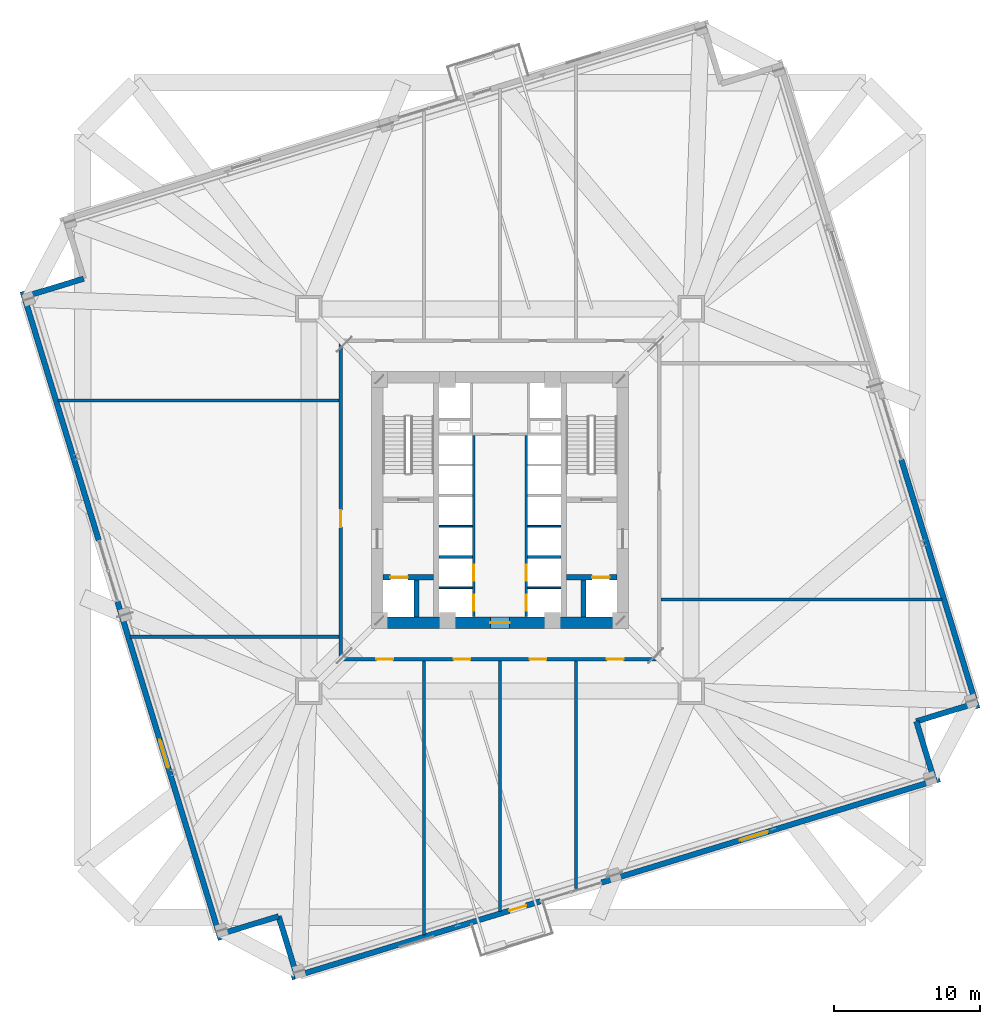
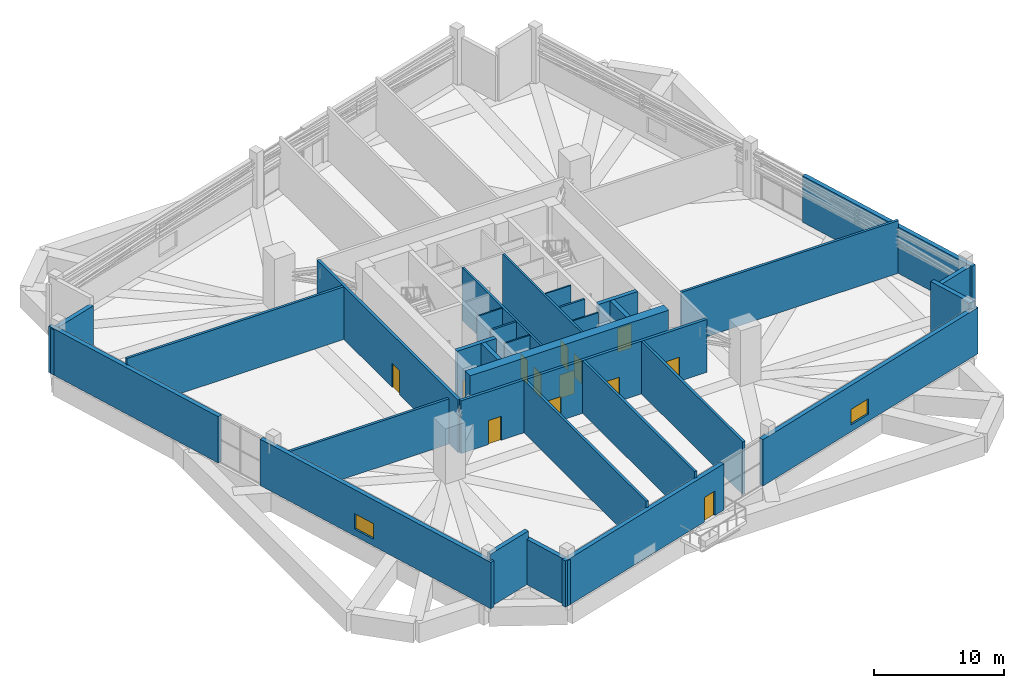
# One storey, part 17 of 22: 31 walls, 13 doors, 2 windows, 15 openings.
"""IFC4 building model written with IfcOpenShell, lengths in metres."""

from ifc_helpers import new_model, si_unit, direction, frame, frame_2d, origin, place, context, subcontext, project, spatial, rectangle, extrude, source, transform, mapped, material, layer, layer_set, type_object, element, fill, save


model = new_model("IFC4")

# Units and contexts
model_context = context("Model", 3, precision=1e-05, world=origin(), true_north=direction((0.0, 1.0)))
body_context = subcontext(model_context, "Body", "Model", "MODEL_VIEW")
ifc_project = project(units=[si_unit("LENGTHUNIT", "METRE"), si_unit("AREAUNIT", "SQUARE_METRE"), si_unit("VOLUMEUNIT", "CUBIC_METRE"), si_unit("PLANEANGLEUNIT", "RADIAN"), si_unit("MASSUNIT", "GRAM", prefix="KILO"), si_unit("THERMODYNAMICTEMPERATUREUNIT", "KELVIN")], contexts=[model_context])

# Site, building, storey
site_placement = place(None, origin())
site = spatial("IfcSite", under=ifc_project, at=site_placement, CompositionType="ELEMENT")
building_placement = place(site_placement, origin())
building = spatial("IfcBuilding", under=site, at=building_placement, Name="Kosmvard Interchange Tower", CompositionType="ELEMENT")
storey_placement = place(building_placement, frame((0.0, 0.0, 78.0)))
storey = spatial("IfcBuildingStorey", under=building, at=storey_placement, Name="L18", CompositionType="ELEMENT", Elevation=78.0)

# Wall, openings, doors
ifc_material_1 = material(Name="Fire-rated gypsum partition system")
ifc_layer_1 = layer(ifc_material_1, 0.179931640625, Name="Fire-rated gypsum partition system")
ifc_layer_set_1 = layer_set([ifc_layer_1], Name="Fire-rated gypsum partition system")
wall_type_1 = type_object("IfcWallType", Name="Corridor & Hotel Compartment Partition 180", PredefinedType="PARTITIONING", material=ifc_layer_set_1)
wall_1_placement = place(storey_placement, frame((-1.7900390625, -7.97998046875, 0.0), z_axis=(0.0, 0.0, 1.0), x_axis=(0.0, 1.0, 0.0)))
wall_1 = element("IfcWall", 1, at=wall_1_placement, inside=storey, type_object=wall_type_1, Name="L18 West Lift Bank Front Wall", PredefinedType="PARTITIONING", context=body_context, shape_type="SweptSolid", body=[
    extrude(rectangle(XDim=12.3798828125, YDim=0.179931640625, at=frame_2d((6.18994140625, 0.0))), origin(), (0.0, 0.0, 1.0), 4.93994140625),
])
opening_1_placement = place(wall_1_placement, frame((0.39990234375, 0.0, 0.0)))
opening_1 = element("IfcOpeningElement", 2, at=opening_1_placement, cuts=wall_1, Name="Opening LD-PL-L1-L18", PredefinedType="OPENING", context=body_context, shape_type="SweptSolid", body=[
    extrude(rectangle(XDim=1.10009765625, YDim=2.199951171875, at=frame_2d((0.550048828125, 1.10009765625))), frame((0.0, 0.10009765625, 0.0), z_axis=(0.0, -1.0, 0.0), x_axis=(1.0, 0.0, 0.0)), (0.0, 0.0, 1.0), 0.199951171875),
])
opening_2_placement = place(wall_1_placement, frame((2.4599609375, 0.0, 0.0)))
opening_2 = element("IfcOpeningElement", 3, at=opening_2_placement, cuts=wall_1, Name="Opening LD-PL-L2-L18", PredefinedType="OPENING", context=body_context, shape_type="SweptSolid", body=[
    extrude(rectangle(XDim=1.10009765625, YDim=2.199951171875, at=frame_2d((0.550048828125, 1.10009765625))), frame((0.0, 0.10009765625, 0.0), z_axis=(0.0, -1.0, 0.0), x_axis=(1.0, 0.0, 0.0)), (0.0, 0.0, 1.0), 0.199951171875),
])
ifc_material_2 = material(Name="Brushed stainless steel sliding leaf", Category="steel")
door_type_1 = type_object("IfcDoorType", Name="Passenger Lift Sliding Landing Door 1100x2200 EI60", OperationType="DOUBLE_DOOR_SLIDING", PredefinedType="DOOR", material=ifc_material_2)
shared_shape_1 = source(origin(), body_context, "Body", "SweptSolid", [
    extrude(rectangle(XDim=1.10009765625, YDim=2.199951171875, at=frame_2d((0.550048828125, 1.10009765625))), frame((0.0, 0.02490234375, 0.0), z_axis=(0.0, -1.0, 0.0), x_axis=(1.0, 0.0, 0.0)), (0.0, 0.0, 1.0), 0.050048828125),
])
door_1_placement = place(opening_1_placement, frame((1.10009765625, 0.0, 0.0), z_axis=(0.0, 0.0, 1.0), x_axis=(-1.0, 0.0, 0.0)))
door_1 = element("IfcDoor", 4, at=door_1_placement, inside=storey, type_object=door_type_1, Name="Lift PL-L1 Landing Door L18", OperationType="DOUBLE_DOOR_SLIDING", OverallHeight=2.199951171875, OverallWidth=1.10009765625, PredefinedType="DOOR", context=body_context, shape_type="MappedRepresentation", body=[
    mapped(shared_shape_1, transform((0.0, 0.0, 0.0), scale=1.0)),
])
fill(opening_1, door_1)
door_2_placement = place(opening_2_placement, frame((1.10009765625, 0.0, 0.0), z_axis=(0.0, 0.0, 1.0), x_axis=(-1.0, 0.0, 0.0)))
door_2 = element("IfcDoor", 5, at=door_2_placement, inside=storey, type_object=door_type_1, Name="Lift PL-L2 Landing Door L18", OperationType="DOUBLE_DOOR_SLIDING", OverallHeight=2.199951171875, OverallWidth=1.10009765625, PredefinedType="DOOR", context=body_context, shape_type="MappedRepresentation", body=[
    mapped(shared_shape_1, transform((0.0, 0.0, 0.0), scale=1.0)),
])
fill(opening_2, door_2)

wall_2_placement = place(storey_placement, frame((1.7900390625, -7.97998046875, 0.0), z_axis=(0.0, 0.0, 1.0), x_axis=(0.0, 1.0, 0.0)))
wall_2 = element("IfcWall", 6, at=wall_2_placement, inside=storey, type_object=wall_type_1, Name="L18 East Lift Bank Front Wall", PredefinedType="PARTITIONING", context=body_context, shape_type="SweptSolid", body=[
    extrude(rectangle(XDim=12.3798828125, YDim=0.179931640625, at=frame_2d((6.18994140625, 0.0))), origin(), (0.0, 0.0, 1.0), 4.93994140625),
])
opening_3_placement = place(wall_2_placement, frame((0.39990234375, 0.0, 0.0)))
opening_3 = element("IfcOpeningElement", 7, at=opening_3_placement, cuts=wall_2, Name="Opening LD-PL-L3-L18", PredefinedType="OPENING", context=body_context, shape_type="SweptSolid", body=[
    extrude(rectangle(XDim=1.10009765625, YDim=2.199951171875, at=frame_2d((0.550048828125, 1.10009765625))), frame((0.0, 0.10009765625, 0.0), z_axis=(0.0, -1.0, 0.0), x_axis=(1.0, 0.0, 0.0)), (0.0, 0.0, 1.0), 0.199951171875),
])
opening_4_placement = place(wall_2_placement, frame((2.4599609375, 0.0, 0.0)))
opening_4 = element("IfcOpeningElement", 8, at=opening_4_placement, cuts=wall_2, Name="Opening LD-PL-L4-L18", PredefinedType="OPENING", context=body_context, shape_type="SweptSolid", body=[
    extrude(rectangle(XDim=1.10009765625, YDim=2.199951171875, at=frame_2d((0.550048828125, 1.10009765625))), frame((0.0, 0.10009765625, 0.0), z_axis=(0.0, -1.0, 0.0), x_axis=(1.0, 0.0, 0.0)), (0.0, 0.0, 1.0), 0.199951171875),
])
door_3_placement = place(opening_3_placement, origin())
door_3 = element("IfcDoor", 9, at=door_3_placement, inside=storey, type_object=door_type_1, Name="Lift PL-L3 Landing Door L18", OperationType="DOUBLE_DOOR_SLIDING", OverallHeight=2.199951171875, OverallWidth=1.10009765625, PredefinedType="DOOR", context=body_context, shape_type="MappedRepresentation", body=[
    mapped(shared_shape_1, transform((0.0, 0.0, 0.0), scale=1.0)),
])
fill(opening_3, door_3)
door_4_placement = place(opening_4_placement, origin())
door_4 = element("IfcDoor", 10, at=door_4_placement, inside=storey, type_object=door_type_1, Name="Lift PL-L4 Landing Door L18", OperationType="DOUBLE_DOOR_SLIDING", OverallHeight=2.199951171875, OverallWidth=1.10009765625, PredefinedType="DOOR", context=body_context, shape_type="MappedRepresentation", body=[
    mapped(shared_shape_1, transform((0.0, 0.0, 0.0), scale=1.0)),
])
fill(opening_4, door_4)

ifc_material_3 = material(Name="Concrete blockwork masonry", Category="masonry")
ifc_layer_2 = layer(ifc_material_3, 0.25, Name="Concrete blockwork masonry")
ifc_layer_set_2 = layer_set([ifc_layer_2], Name="Concrete blockwork masonry")
wall_type_2 = type_object("IfcWallType", Name="Exit Passage & Firefighting Lobby Wall 250", PredefinedType="PARTITIONING", material=ifc_layer_set_2)
wall_3_placement = place(storey_placement, frame((-10.89990234375, -10.89990234375, 0.0), z_axis=(0.0, 0.0, 1.0), x_axis=(1.0, 0.0, 0.0)))
wall_3 = element("IfcWall", 11, at=wall_3_placement, inside=storey, type_object=wall_type_2, Name="L18 Corridor Wall CS", PredefinedType="PARTITIONING", context=body_context, shape_type="SweptSolid", body=[
    extrude(rectangle(XDim=21.7998046875, YDim=0.25, at=frame_2d((10.89990234375, 0.0))), origin(), (0.0, 0.0, 1.0), 4.93994140625),
])
opening_5_placement = place(wall_3_placement, frame((18.21044921875, 0.0, 0.0)))
opening_5 = element("IfcOpeningElement", 12, at=opening_5_placement, cuts=wall_3, Name="Opening L18-D06", PredefinedType="OPENING", context=body_context, shape_type="SweptSolid", body=[
    extrude(rectangle(XDim=1.14990234375, YDim=2.25, at=frame_2d((0.574951171875, 1.125))), frame((0.0, 0.135009765625, 0.0), z_axis=(0.0, -1.0, 0.0), x_axis=(1.0, 0.0, 0.0)), (0.0, 0.0, 1.0), 0.27001953125),
])
opening_6_placement = place(wall_3_placement, frame((12.925048828125, 0.0, 0.0)))
opening_6 = element("IfcOpeningElement", 13, at=opening_6_placement, cuts=wall_3, Name="Opening L18-D07", PredefinedType="OPENING", context=body_context, shape_type="SweptSolid", body=[
    extrude(rectangle(XDim=1.14990234375, YDim=2.25, at=frame_2d((0.574951171875, 1.125))), frame((0.0, 0.135009765625, 0.0), z_axis=(0.0, -1.0, 0.0), x_axis=(1.0, 0.0, 0.0)), (0.0, 0.0, 1.0), 0.27001953125),
])
opening_7_placement = place(wall_3_placement, frame((7.72509765625, 0.0, 0.0)))
opening_7 = element("IfcOpeningElement", 14, at=opening_7_placement, cuts=wall_3, Name="Opening L18-D08", PredefinedType="OPENING", context=body_context, shape_type="SweptSolid", body=[
    extrude(rectangle(XDim=1.14990234375, YDim=2.25, at=frame_2d((0.574951171875, 1.125))), frame((0.0, 0.135009765625, 0.0), z_axis=(0.0, -1.0, 0.0), x_axis=(1.0, 0.0, 0.0)), (0.0, 0.0, 1.0), 0.27001953125),
])
opening_8_placement = place(wall_3_placement, frame((2.439453125, 0.0, 0.0)))
opening_8 = element("IfcOpeningElement", 15, at=opening_8_placement, cuts=wall_3, Name="Opening L18-D09", PredefinedType="OPENING", context=body_context, shape_type="SweptSolid", body=[
    extrude(rectangle(XDim=1.14990234375, YDim=2.25, at=frame_2d((0.574951171875, 1.125))), frame((0.0, 0.135009765625, 0.0), z_axis=(0.0, -1.0, 0.0), x_axis=(1.0, 0.0, 0.0)), (0.0, 0.0, 1.0), 0.27001953125),
])
ifc_material_4 = material(Name="Painted fire-rated steel leaf", Category="steel")
door_type_2 = type_object("IfcDoorType", Name="Plant & Riser Fire Door 1150x2250 EI60", OperationType="NOTDEFINED", PredefinedType="DOOR", material=ifc_material_4)
shared_shape_2 = source(origin(), body_context, "Body", "SweptSolid", [
    extrude(rectangle(XDim=1.14990234375, YDim=2.25, at=frame_2d((0.574951171875, 1.125))), frame((0.0, 0.02490234375, 0.0), z_axis=(0.0, -1.0, 0.0), x_axis=(1.0, 0.0, 0.0)), (0.0, 0.0, 1.0), 0.050048828125),
])
door_5_placement = place(opening_5_placement, frame((1.14990234375, 0.0, 0.0), z_axis=(0.0, 0.0, 1.0), x_axis=(-1.0, 0.0, 0.0)))
door_5 = element("IfcDoor", 16, at=door_5_placement, inside=storey, type_object=door_type_2, Name="L18 Electrical Switchgear Plant Room Door", OperationType="SINGLE_SWING_RIGHT", OverallHeight=2.25, OverallWidth=1.14990234375, PredefinedType="DOOR", context=body_context, shape_type="MappedRepresentation", body=[
    mapped(shared_shape_2, transform((0.0, 0.0, 0.0), scale=1.0)),
])
fill(opening_5, door_5)
door_6_placement = place(opening_6_placement, frame((1.14990234375, 0.0, 0.0), z_axis=(0.0, 0.0, 1.0), x_axis=(-1.0, 0.0, 0.0)))
door_6 = element("IfcDoor", 17, at=door_6_placement, inside=storey, type_object=door_type_2, Name="L18 Zone Power Transformer Plant Room Door", OperationType="SINGLE_SWING_LEFT", OverallHeight=2.25, OverallWidth=1.14990234375, PredefinedType="DOOR", context=body_context, shape_type="MappedRepresentation", body=[
    mapped(shared_shape_2, transform((0.0, 0.0, 0.0), scale=1.0)),
])
fill(opening_6, door_6)
door_7_placement = place(opening_7_placement, frame((1.14990234375, 0.0, 0.0), z_axis=(0.0, 0.0, 1.0), x_axis=(-1.0, 0.0, 0.0)))
door_7 = element("IfcDoor", 18, at=door_7_placement, inside=storey, type_object=door_type_2, Name="L18 Smoke Pressurisation Fan Plant Room Door", OperationType="SINGLE_SWING_RIGHT", OverallHeight=2.25, OverallWidth=1.14990234375, PredefinedType="DOOR", context=body_context, shape_type="MappedRepresentation", body=[
    mapped(shared_shape_2, transform((0.0, 0.0, 0.0), scale=1.0)),
])
fill(opening_7, door_7)
door_8_placement = place(opening_8_placement, frame((1.14990234375, 0.0, 0.0), z_axis=(0.0, 0.0, 1.0), x_axis=(-1.0, 0.0, 0.0)))
door_8 = element("IfcDoor", 19, at=door_8_placement, inside=storey, type_object=door_type_2, Name="L18 Air Handling Fan Plant Room Door", OperationType="SINGLE_SWING_LEFT", OverallHeight=2.25, OverallWidth=1.14990234375, PredefinedType="DOOR", context=body_context, shape_type="MappedRepresentation", body=[
    mapped(shared_shape_2, transform((0.0, 0.0, 0.0), scale=1.0)),
])
fill(opening_8, door_8)

# Wall, opening, door
wall_4_placement = place(storey_placement, frame((-10.89990234375, -10.800048828125, 0.0), z_axis=(0.0, 0.0, 1.0), x_axis=(0.0, 1.0, 0.0)))
wall_4 = element("IfcWall", 20, at=wall_4_placement, inside=storey, type_object=wall_type_2, Name="L18 Corridor Wall CW", PredefinedType="PARTITIONING", context=body_context, shape_type="SweptSolid", body=[
    extrude(rectangle(XDim=21.60009765625, YDim=0.25, at=frame_2d((10.800048828125, 0.0))), origin(), (0.0, 0.0, 1.0), 4.93994140625),
])
opening_9_placement = place(wall_4_placement, frame((8.949951171875, 0.0, 0.0)))
opening_9 = element("IfcOpeningElement", 21, at=opening_9_placement, cuts=wall_4, Name="Opening L18-D10", PredefinedType="OPENING", context=body_context, shape_type="SweptSolid", body=[
    extrude(rectangle(XDim=1.14990234375, YDim=2.25, at=frame_2d((0.574951171875, 1.125))), frame((0.0, 0.135009765625, 0.0), z_axis=(0.0, -1.0, 0.0), x_axis=(1.0, 0.0, 0.0)), (0.0, 0.0, 1.0), 0.27001953125),
])
door_9_placement = place(opening_9_placement, origin())
door_9 = element("IfcDoor", 22, at=door_9_placement, inside=storey, type_object=door_type_2, Name="L18 Refuge Area West Door", OperationType="SINGLE_SWING_RIGHT", OverallHeight=2.25, OverallWidth=1.14990234375, PredefinedType="DOOR", context=body_context, shape_type="MappedRepresentation", body=[
    mapped(shared_shape_2, transform((0.0, 0.0, 0.0), scale=1.0)),
])
fill(opening_9, door_9)

ifc_material_5 = material(Name="Concrete C80/95", Category="concrete")
ifc_layer_3 = layer(ifc_material_5, 0.800048828125, Name="Concrete C80/95")
ifc_layer_set_3 = layer_set([ifc_layer_3], Name="Concrete C80/95")
wall_type_3 = type_object("IfcWallType", Name="Lower Core Shear Wall 800 C80/95", PredefinedType="SHEAR", material=ifc_layer_set_3)
wall_5_placement = place(storey_placement, frame((-8.800048828125, -8.39990234375, 0.0), z_axis=(0.0, 0.0, 1.0), x_axis=(1.0, 0.0, 0.0)))
wall_5 = element("IfcWall", 23, at=wall_5_placement, inside=storey, type_object=wall_type_3, Name="L18 Core Shear Wall CW-S", PredefinedType="SHEAR", context=body_context, shape_type="SweptSolid", body=[
    extrude(rectangle(XDim=17.60009765625, YDim=0.800048828125, at=frame_2d((8.800048828125, 0.0))), origin(), (0.0, 0.0, 1.0), 5.199951171875),
])
opening_10_placement = place(wall_5_placement, frame((8.14990234375, 0.0, 0.0)))
opening_10 = element("IfcOpeningElement", 24, at=opening_10_placement, cuts=wall_5, Name="Opening L18-LD0", PredefinedType="OPENING", context=body_context, shape_type="SweptSolid", body=[
    extrude(rectangle(XDim=1.300048828125, YDim=2.199951171875, at=frame_2d((0.64990234375, 1.10009765625))), frame((0.0, 0.41015625, 0.0), z_axis=(0.0, -1.0, 0.0), x_axis=(1.0, 0.0, 0.0)), (0.0, 0.0, 1.0), 0.820068359375),
])
door_type_3 = type_object("IfcDoorType", Name="Firefighting Lobby Door 1300x2200 EI60", OperationType="NOTDEFINED", PredefinedType="DOOR", material=ifc_material_4)
shared_shape_3 = source(origin(), body_context, "Body", "SweptSolid", [
    extrude(rectangle(XDim=1.300048828125, YDim=2.199951171875, at=frame_2d((0.64990234375, 1.10009765625))), frame((0.0, 0.02490234375, 0.0), z_axis=(0.0, -1.0, 0.0), x_axis=(1.0, 0.0, 0.0)), (0.0, 0.0, 1.0), 0.050048828125),
])
door_10_placement = place(opening_10_placement, frame((1.300048828125, 0.0, 0.0), z_axis=(0.0, 0.0, 1.0), x_axis=(-1.0, 0.0, 0.0)))
door_10 = element("IfcDoor", 25, at=door_10_placement, inside=storey, type_object=door_type_3, Name="L18 Passenger Lift Lobby South Door", OperationType="SINGLE_SWING_RIGHT", OverallHeight=2.199951171875, OverallWidth=1.300048828125, PredefinedType="DOOR", context=body_context, shape_type="MappedRepresentation", body=[
    mapped(shared_shape_3, transform((0.0, 0.0, 0.0), scale=1.0)),
])
fill(opening_10, door_10)

# Walls
ifc_material_6 = material(Name="Precast concrete C45/55", Category="concrete")
ifc_layer_4 = layer(ifc_material_6, 0.3798828125, Name="Precast concrete C45/55")
ifc_layer_set_4 = layer_set([ifc_layer_4], Name="Precast concrete C45/55")
wall_type_4 = type_object("IfcWallType", Name="Lower Tower Precast Pier Wall 380 C45/55", PredefinedType="STANDARD", material=ifc_layer_set_4)
wall_6_placement = place(storey_placement, frame((29.724853515625, -19.20849609375, 0.0), z_axis=(0.0, 0.0, 1.0), x_axis=(-0.292345507338, 0.956312764915, 0.0)))
element("IfcWall", 26, at=wall_6_placement, inside=storey, type_object=wall_type_4, Name="L18 Corner Precast Pier N-SE1", PredefinedType="STANDARD", context=body_context, shape_type="SweptSolid", body=[
    extrude(rectangle(XDim=4.249755859375, YDim=0.3798828125, at=frame_2d((2.125, 0.0))), origin(), (0.0, 0.0, 1.0), 4.93994140625),
])
for number, where, z_axis, x_axis, name in (
    (27, (28.482421875, -15.144287109375, 0.0), (0.0, 0.0, 1.0), (0.956304176051, 0.292373601522, 0.0), "L18 Corner Precast Pier N-SE2"),
    (28, (-28.482421875, 15.144287109375, 0.0), (0.0, 0.0, 1.0), (-0.956304176051, -0.292373601522, 0.0), "L18 Corner Precast Pier N-NW2"),
):
    element("IfcWall", number, at=place(storey_placement, frame(where, z_axis=z_axis, x_axis=x_axis)), inside=storey, type_object=wall_type_4, Name=name, PredefinedType="STANDARD", context=body_context, shape_type="SweptSolid", body=[
        extrude(rectangle(XDim=4.43994140625, YDim=0.3798828125, at=frame_2d((2.219970703125, 0.0))), origin(), (0.0, 0.0, 1.0), 4.239990234375),
    ])
wall_7_placement = place(storey_placement, frame((-19.20849609375, -29.724853515625, 0.0), z_axis=(0.0, 0.0, 1.0), x_axis=(0.956312764915, 0.292345507338, 0.0)))
element("IfcWall", 29, at=wall_7_placement, inside=storey, type_object=wall_type_4, Name="L18 Corner Precast Pier N-SW1", PredefinedType="STANDARD", context=body_context, shape_type="SweptSolid", body=[
    extrude(rectangle(XDim=4.249755859375, YDim=0.3798828125, at=frame_2d((2.125, 0.0))), origin(), (0.0, 0.0, 1.0), 4.93994140625),
])
wall_8_placement = place(storey_placement, frame((-15.144287109375, -28.482421875, 0.0), z_axis=(0.0, 0.0, 1.0), x_axis=(0.292373601522, -0.956304176051, 0.0)))
element("IfcWall", 30, at=wall_8_placement, inside=storey, type_object=wall_type_4, Name="L18 Corner Precast Pier N-SW2", PredefinedType="STANDARD", context=body_context, shape_type="SweptSolid", body=[
    extrude(rectangle(XDim=4.43994140625, YDim=0.3798828125, at=frame_2d((2.219970703125, 0.0))), origin(), (0.0, 0.0, 1.0), 4.239990234375),
])

# Wall, opening, door
wall_9_placement = place(storey_placement, frame((-14.26513671875, -32.65771484375, 0.0), z_axis=(0.0, 0.0, 1.0), x_axis=(0.956302978664, 0.292377517944, 0.0)))
wall_9 = element("IfcWall", 31, at=wall_9_placement, inside=storey, type_object=wall_type_4, Name="L18 Facade Pier Wall SA", PredefinedType="STANDARD", context=body_context, shape_type="SweptSolid", body=[
    extrude(rectangle(XDim=17.7900390625, YDim=0.3798828125, at=frame_2d((8.89501953125, 0.0))), origin(), (0.0, 0.0, 1.0), 4.340087890625),
])
opening_11_placement = place(wall_9_placement, frame((15.590087890625, 0.0, 0.0)))
opening_11 = element("IfcOpeningElement", 32, at=opening_11_placement, cuts=wall_9, Name="Opening L18-TDS", PredefinedType="OPENING", context=body_context, shape_type="SweptSolid", body=[
    extrude(rectangle(XDim=1.199951171875, YDim=2.300048828125, at=frame_2d((0.60009765625, 1.14990234375))), frame((0.0, 0.199951171875, 0.0), z_axis=(0.0, -1.0, 0.0), x_axis=(1.0, 0.0, 0.0)), (0.0, 0.0, 1.0), 0.39990234375),
])
ifc_material_7 = material(Name="Anodised aluminium and safety glass", Category="aluminium")
door_type_4 = type_object("IfcDoorType", Name="Cascade Terrace Glazed Door 1200x2300", OperationType="NOTDEFINED", PredefinedType="DOOR", material=ifc_material_7)
shared_shape_4 = source(origin(), body_context, "Body", "SweptSolid", [
    extrude(rectangle(XDim=1.199951171875, YDim=2.300048828125, at=frame_2d((0.60009765625, 1.14990234375))), frame((0.0, 0.02490234375, 0.0), z_axis=(0.0, -1.0, 0.0), x_axis=(1.0, 0.0, 0.0)), (0.0, 0.0, 1.0), 0.050048828125),
])
door_11_placement = place(opening_11_placement, origin())
door_11 = element("IfcDoor", 33, at=door_11_placement, inside=storey, type_object=door_type_4, Name="L18 Terrace Access Door SKG-L18-S", OperationType="SINGLE_SWING_LEFT", OverallHeight=2.300048828125, OverallWidth=1.199951171875, PredefinedType="DOOR", context=body_context, shape_type="MappedRepresentation", body=[
    mapped(shared_shape_4, transform((0.0, 0.0, 0.0), scale=1.0)),
])
fill(opening_11, door_11)

# Wall, opening, window
wall_10_placement = place(storey_placement, frame((6.955322265625, -26.169921875, 0.0), z_axis=(0.0, 0.0, 1.0), x_axis=(0.95630447169, 0.292372634538, 0.0)))
wall_10 = element("IfcWall", 34, at=wall_10_placement, inside=storey, type_object=wall_type_4, Name="L18 Facade Pier Wall SB", PredefinedType="STANDARD", context=body_context, shape_type="SweptSolid", body=[
    extrude(rectangle(XDim=24.18994140625, YDim=0.3798828125, at=frame_2d((12.094970703125, 0.0))), origin(), (0.0, 0.0, 1.0), 4.340087890625),
])
opening_12_placement = place(wall_10_placement, frame((9.885498046875, 0.0, 0.64990234375)))
opening_12 = element("IfcOpeningElement", 35, at=opening_12_placement, cuts=wall_10, Name="Opening L18-WSB", PredefinedType="OPENING", context=body_context, shape_type="SweptSolid", body=[
    extrude(rectangle(XDim=2.0, YDim=1.449951171875, at=frame_2d((1.0, 0.72509765625))), frame((0.0, 0.199951171875, 0.0), z_axis=(0.0, -1.0, 0.0), x_axis=(1.0, 0.0, 0.0)), (0.0, 0.0, 1.0), 0.39990234375),
])
ifc_material_8 = material(Name="Low-E solar-control double glazing", Category="glass")
window_type = type_object("IfcWindowType", Name="Transfer Zone Punched Window 2000x1450", PartitioningType="SINGLE_PANEL", PredefinedType="WINDOW", material=ifc_material_8)
shared_shape_5 = source(origin(), body_context, "Body", "SweptSolid", [
    extrude(rectangle(XDim=2.0, YDim=1.449951171875, at=frame_2d((1.0, 0.72509765625))), frame((0.0, 0.030029296875, 0.0), z_axis=(0.0, -1.0, 0.0), x_axis=(1.0, 0.0, 0.0)), (0.0, 0.0, 1.0), 0.06005859375),
])
window_1_placement = place(opening_12_placement, origin())
window_1 = element("IfcWindow", 36, at=window_1_placement, inside=storey, type_object=window_type, Name="L18 Facade Punched Window SB", OverallHeight=1.449951171875, OverallWidth=2.0, PartitioningType="SINGLE_PANEL", PredefinedType="WINDOW", context=body_context, shape_type="MappedRepresentation", body=[
    mapped(shared_shape_5, transform((0.0, 0.0, 0.0), scale=1.0)),
])
fill(opening_12, window_1)

# Walls
for number, where, z_axis, x_axis, name in (
    (37, (32.65771484375, -14.26513671875, 0.0), (0.0, 0.0, 1.0), (-0.292377517944, 0.956302978664, 0.0), "L18 Facade Pier Wall EA"),
    (38, (-32.65771484375, 14.26513671875, 0.0), (0.0, 0.0, 1.0), (0.292377517944, -0.956302978664, 0.0), "L18 Facade Pier Wall WA"),
):
    element("IfcWall", number, at=place(storey_placement, frame(where, z_axis=z_axis, x_axis=x_axis)), inside=storey, type_object=wall_type_4, Name=name, PredefinedType="STANDARD", context=body_context, shape_type="SweptSolid", body=[
        extrude(rectangle(XDim=17.7900390625, YDim=0.3798828125, at=frame_2d((8.89501953125, 0.0))), origin(), (0.0, 0.0, 1.0), 4.340087890625),
    ])

# Wall, opening, window
wall_11_placement = place(storey_placement, frame((-26.169921875, -6.955322265625, 0.0), z_axis=(0.0, 0.0, 1.0), x_axis=(0.292372634538, -0.95630447169, 0.0)))
wall_11 = element("IfcWall", 39, at=wall_11_placement, inside=storey, type_object=wall_type_4, Name="L18 Facade Pier Wall WB", PredefinedType="STANDARD", context=body_context, shape_type="SweptSolid", body=[
    extrude(rectangle(XDim=24.18994140625, YDim=0.3798828125, at=frame_2d((12.094970703125, 0.0))), origin(), (0.0, 0.0, 1.0), 4.340087890625),
])
opening_13_placement = place(wall_11_placement, frame((9.885498046875, 0.0, 0.64990234375)))
opening_13 = element("IfcOpeningElement", 40, at=opening_13_placement, cuts=wall_11, Name="Opening L18-WWB", PredefinedType="OPENING", context=body_context, shape_type="SweptSolid", body=[
    extrude(rectangle(XDim=2.0, YDim=1.449951171875, at=frame_2d((1.0, 0.72509765625))), frame((0.0, 0.199951171875, 0.0), z_axis=(0.0, -1.0, 0.0), x_axis=(1.0, 0.0, 0.0)), (0.0, 0.0, 1.0), 0.39990234375),
])
window_2_placement = place(opening_13_placement, origin())
window_2 = element("IfcWindow", 41, at=window_2_placement, inside=storey, type_object=window_type, Name="L18 Facade Punched Window WB", OverallHeight=1.449951171875, OverallWidth=2.0, PartitioningType="SINGLE_PANEL", PredefinedType="WINDOW", context=body_context, shape_type="MappedRepresentation", body=[
    mapped(shared_shape_5, transform((0.0, 0.0, 0.0), scale=1.0)),
])
fill(opening_13, window_2)

# Walls
ifc_layer_5 = layer(ifc_material_3, 0.179931640625, Name="Concrete blockwork masonry")
ifc_layer_set_5 = layer_set([ifc_layer_5], Name="Concrete blockwork masonry")
wall_type_5 = type_object("IfcWallType", Name="Riser & Lift Bank Divider Wall 180", PredefinedType="PARTITIONING", material=ifc_layer_set_5)
for number, where, z_axis, x_axis, name in (
    (42, (-4.169921875, -3.89990234375, 0.0), (0.0, 0.0, 1.0), (1.0, 0.0, 0.0), "L18 West Bank Divider BD1"),
    (43, (1.889892578125, -3.89990234375, 0.0), (0.0, 0.0, 1.0), (1.0, 0.0, 0.0), "L18 East Bank Divider BD1"),
):
    element("IfcWall", number, at=place(storey_placement, frame(where, z_axis=z_axis, x_axis=x_axis)), inside=storey, type_object=wall_type_5, Name=name, PredefinedType="PARTITIONING", context=body_context, shape_type="SweptSolid", body=[
        extrude(rectangle(XDim=2.280029296875, YDim=0.179931640625, at=frame_2d((1.14013671875, 0.0))), origin(), (0.0, 0.0, 1.0), 4.93994140625),
    ])
ifc_layer_6 = layer(ifc_material_3, 0.219970703125, Name="Concrete blockwork masonry")
ifc_layer_set_6 = layer_set([ifc_layer_6], Name="Concrete blockwork masonry")
wall_type_6 = type_object("IfcWallType", Name="Riser & Plant Enclosure Wall 220", PredefinedType="PARTITIONING", material=ifc_layer_set_6)
wall_12_placement = place(storey_placement, frame((11.030029296875, -6.800048828125, 0.0), z_axis=(0.0, 0.0, 1.0), x_axis=(1.0, 0.0, 0.0)))
element("IfcWall", 44, at=wall_12_placement, inside=storey, type_object=wall_type_6, Name="L18 Room Partition 05.1", PredefinedType="PARTITIONING", context=body_context, shape_type="SweptSolid", body=[
    extrude(rectangle(XDim=19.214599609375, YDim=0.219970703125, at=frame_2d((9.607421875, 0.0))), origin(), (0.0, 0.0, 1.0), 4.93994140625),
])
wall_13_placement = place(storey_placement, frame((-5.199951171875, -11.030029296875, 0.0), z_axis=(0.0, 0.0, 1.0), x_axis=(0.0, -1.0, 0.0)))
element("IfcWall", 45, at=wall_13_placement, inside=storey, type_object=wall_type_6, Name="L18 Room Partition 06.1", PredefinedType="PARTITIONING", context=body_context, shape_type="SweptSolid", body=[
    extrude(rectangle(XDim=18.7255859375, YDim=0.219970703125, at=frame_2d((9.36279296875, 0.0))), origin(), (0.0, 0.0, 1.0), 4.93994140625),
])
wall_14_placement = place(storey_placement, frame((0.0, -11.030029296875, 0.0), z_axis=(0.0, 0.0, 1.0), x_axis=(0.0, -1.0, 0.0)))
element("IfcWall", 46, at=wall_14_placement, inside=storey, type_object=wall_type_6, Name="L18 Room Partition 07.1", PredefinedType="PARTITIONING", context=body_context, shape_type="SweptSolid", body=[
    extrude(rectangle(XDim=17.1357421875, YDim=0.219970703125, at=frame_2d((8.56787109375, 0.0))), origin(), (0.0, 0.0, 1.0), 4.93994140625),
])
wall_15_placement = place(storey_placement, frame((5.199951171875, -11.030029296875, 0.0), z_axis=(0.0, 0.0, 1.0), x_axis=(0.0, -1.0, 0.0)))
element("IfcWall", 47, at=wall_15_placement, inside=storey, type_object=wall_type_6, Name="L18 Room Partition 08.1", PredefinedType="PARTITIONING", context=body_context, shape_type="SweptSolid", body=[
    extrude(rectangle(XDim=15.5458984375, YDim=0.219970703125, at=frame_2d((7.77294921875, 0.0))), origin(), (0.0, 0.0, 1.0), 4.93994140625),
])
wall_16_placement = place(storey_placement, frame((-11.030029296875, -9.35009765625, 0.0), z_axis=(0.0, 0.0, 1.0), x_axis=(-1.0, 0.0, 0.0)))
element("IfcWall", 48, at=wall_16_placement, inside=storey, type_object=wall_type_6, Name="L18 Room Partition 09.1", PredefinedType="PARTITIONING", context=body_context, shape_type="SweptSolid", body=[
    extrude(rectangle(XDim=14.277099609375, YDim=0.219970703125, at=frame_2d((7.138671875, 0.0))), origin(), (0.0, 0.0, 1.0), 4.239990234375),
])
wall_17_placement = place(storey_placement, frame((-11.030029296875, 6.800048828125, 0.0), z_axis=(0.0, 0.0, 1.0), x_axis=(-1.0, 0.0, 0.0)))
element("IfcWall", 49, at=wall_17_placement, inside=storey, type_object=wall_type_6, Name="L18 Room Partition 10.1", PredefinedType="PARTITIONING", context=body_context, shape_type="SweptSolid", body=[
    extrude(rectangle(XDim=19.214599609375, YDim=0.219970703125, at=frame_2d((9.607421875, 0.0))), origin(), (0.0, 0.0, 1.0), 4.93994140625),
])
ifc_material_9 = material(Name="Fire-rated gypsum shaftwall system")
ifc_layer_7 = layer(ifc_material_9, 0.1201171875, Name="Fire-rated gypsum shaftwall system")
ifc_layer_set_7 = layer_set([ifc_layer_7], Name="Fire-rated gypsum shaftwall system")
wall_type_7 = type_object("IfcWallType", Name="Shaft & Riser Fire Partition 120 EI60", PredefinedType="PARTITIONING", material=ifc_layer_set_7)
for number, where, z_axis, x_axis, name in (
    (50, (-4.159912109375, -6.0, 0.0), (0.0, 0.0, 1.0), (1.0, 0.0, 0.0), "L18 Shaft Divider PL-L1"),
    (51, (1.89990234375, -6.0, 0.0), (0.0, 0.0, 1.0), (1.0, 0.0, 0.0), "L18 Shaft Divider PL-L3"),
    (52, (-4.159912109375, -1.800048828125, 0.0), (0.0, 0.0, 1.0), (1.0, 0.0, 0.0), "L18 Shaft Divider PL-M1"),
    (53, (1.89990234375, -1.800048828125, 0.0), (0.0, 0.0, 1.0), (1.0, 0.0, 0.0), "L18 Shaft Divider PL-M3"),
):
    element("IfcWall", number, at=place(storey_placement, frame(where, z_axis=z_axis, x_axis=x_axis)), inside=storey, type_object=wall_type_7, Name=name, PredefinedType="PARTITIONING", context=body_context, shape_type="SweptSolid", body=[
        extrude(rectangle(XDim=2.260009765625, YDim=0.1201171875, at=frame_2d((1.1298828125, 0.0))), origin(), (0.0, 0.0, 1.0), 4.93994140625),
    ])

# Wall, opening, door
ifc_material_10 = material(Name="Concrete C60/75", Category="concrete")
ifc_layer_8 = layer(ifc_material_10, 0.360107421875, Name="Concrete C60/75")
ifc_layer_set_8 = layer_set([ifc_layer_8], Name="Concrete C60/75")
wall_type_8 = type_object("IfcWallType", Name="Stair & Lift Shaft Shear Wall 360 C60/75", PredefinedType="SHEAR", material=ifc_layer_set_8)
wall_18_placement = place(storey_placement, frame((-8.0, -5.280029296875, 0.0), z_axis=(0.0, 0.0, 1.0), x_axis=(1.0, 0.0, 0.0)))
wall_18 = element("IfcWall", 54, at=wall_18_placement, inside=storey, type_object=wall_type_8, Name="L18 Shaft Shear Wall SW-FF1", PredefinedType="SHEAR", context=body_context, shape_type="SweptSolid", body=[
    extrude(rectangle(XDim=3.4599609375, YDim=0.360107421875, at=frame_2d((1.72998046875, 0.0))), origin(), (0.0, 0.0, 1.0), 5.199951171875),
])
opening_14_placement = place(wall_18_placement, frame((0.5, 0.0, 0.0)))
opening_14 = element("IfcOpeningElement", 55, at=opening_14_placement, cuts=wall_18, Name="Opening LD-FF-1-L18", PredefinedType="OPENING", context=body_context, shape_type="SweptSolid", body=[
    extrude(rectangle(XDim=1.199951171875, YDim=2.25, at=frame_2d((0.60009765625, 1.125))), frame((0.0, 0.18994140625, 0.0), z_axis=(0.0, -1.0, 0.0), x_axis=(1.0, 0.0, 0.0)), (0.0, 0.0, 1.0), 0.380126953125),
])
door_type_5 = type_object("IfcDoorType", Name="Firefighting Lift Sliding Landing Door 1200x2250 EI120", OperationType="DOUBLE_DOOR_SLIDING", PredefinedType="DOOR", material=ifc_material_2)
shared_shape_6 = source(origin(), body_context, "Body", "SweptSolid", [
    extrude(rectangle(XDim=1.199951171875, YDim=2.25, at=frame_2d((0.60009765625, 1.125))), frame((0.0, 0.02490234375, 0.0), z_axis=(0.0, -1.0, 0.0), x_axis=(1.0, 0.0, 0.0)), (0.0, 0.0, 1.0), 0.050048828125),
])
door_12_placement = place(opening_14_placement, origin())
door_12 = element("IfcDoor", 56, at=door_12_placement, inside=storey, type_object=door_type_5, Name="Lift FF-1 Landing Door L18", OperationType="DOUBLE_DOOR_SLIDING", OverallHeight=2.25, OverallWidth=1.199951171875, PredefinedType="DOOR", context=body_context, shape_type="MappedRepresentation", body=[
    mapped(shared_shape_6, transform((0.0, 0.0, 0.0), scale=1.0)),
])
fill(opening_14, door_12)

wall_19_placement = place(storey_placement, frame((4.5400390625, -5.280029296875, 0.0), z_axis=(0.0, 0.0, 1.0), x_axis=(1.0, 0.0, 0.0)))
wall_19 = element("IfcWall", 57, at=wall_19_placement, inside=storey, type_object=wall_type_8, Name="L18 Shaft Shear Wall SW-FF2", PredefinedType="SHEAR", context=body_context, shape_type="SweptSolid", body=[
    extrude(rectangle(XDim=3.4599609375, YDim=0.360107421875, at=frame_2d((1.72998046875, 0.0))), origin(), (0.0, 0.0, 1.0), 5.199951171875),
])
opening_15_placement = place(wall_19_placement, frame((1.760009765625, 0.0, 0.0)))
opening_15 = element("IfcOpeningElement", 58, at=opening_15_placement, cuts=wall_19, Name="Opening LD-FF-2-L18", PredefinedType="OPENING", context=body_context, shape_type="SweptSolid", body=[
    extrude(rectangle(XDim=1.199951171875, YDim=2.25, at=frame_2d((0.60009765625, 1.125))), frame((0.0, 0.18994140625, 0.0), z_axis=(0.0, -1.0, 0.0), x_axis=(1.0, 0.0, 0.0)), (0.0, 0.0, 1.0), 0.380126953125),
])
door_13_placement = place(opening_15_placement, origin())
door_13 = element("IfcDoor", 59, at=door_13_placement, inside=storey, type_object=door_type_5, Name="Lift FF-2 Landing Door L18", OperationType="DOUBLE_DOOR_SLIDING", OverallHeight=2.25, OverallWidth=1.199951171875, PredefinedType="DOOR", context=body_context, shape_type="MappedRepresentation", body=[
    mapped(shared_shape_6, transform((0.0, 0.0, 0.0), scale=1.0)),
])
fill(opening_15, door_13)

# Walls
for number, where, z_axis, x_axis, name in (
    (60, (-5.7099609375, -8.0, 0.0), (0.0, 0.0, 1.0), (0.0, 1.0, 0.0), "L18 Shaft Shear Wall SW-SM1"),
    (61, (5.7099609375, -8.0, 0.0), (0.0, 0.0, 1.0), (0.0, 1.0, 0.0), "L18 Shaft Shear Wall SW-SM2"),
):
    element("IfcWall", number, at=place(storey_placement, frame(where, z_axis=z_axis, x_axis=x_axis)), inside=storey, type_object=wall_type_8, Name=name, PredefinedType="SHEAR", context=body_context, shape_type="SweptSolid", body=[
        extrude(rectangle(XDim=2.5400390625, YDim=0.360107421875, at=frame_2d((1.27001953125, 0.0))), origin(), (0.0, 0.0, 1.0), 5.199951171875),
    ])

save(model, "model.ifc")
